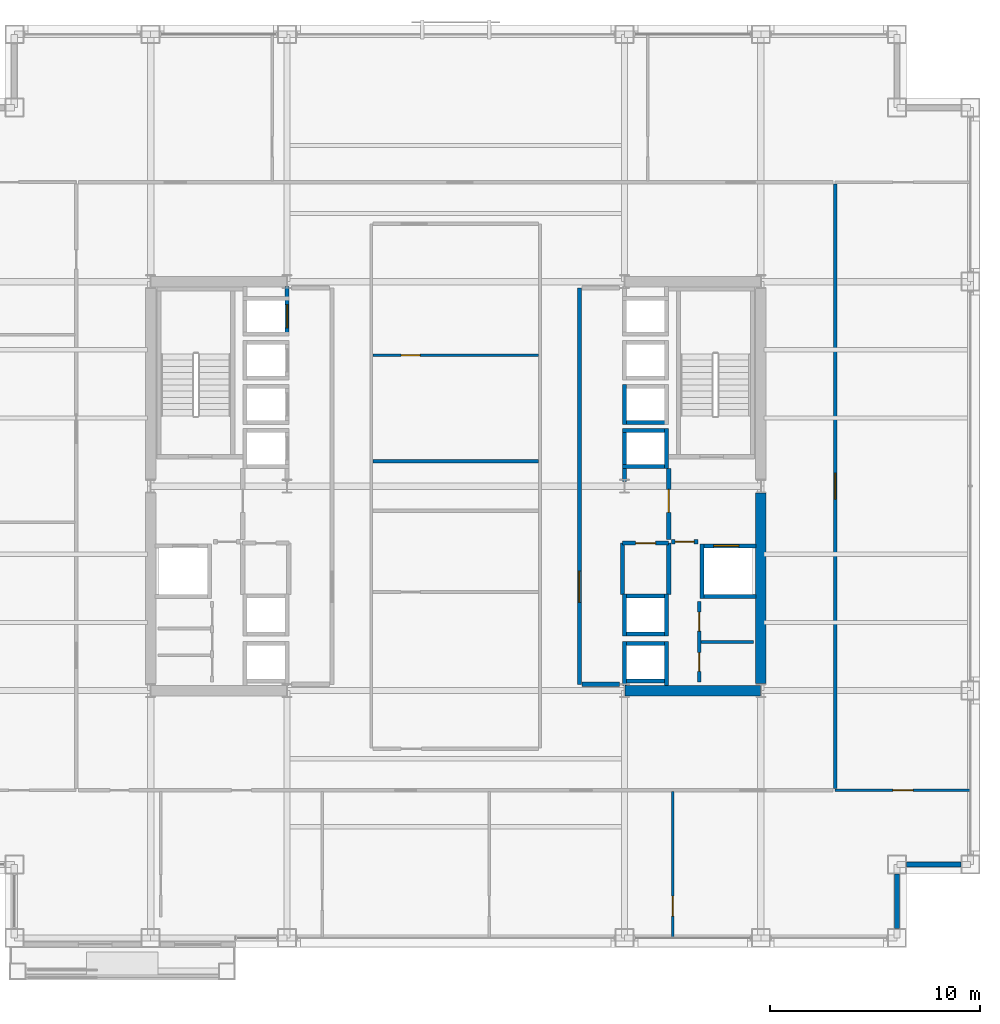
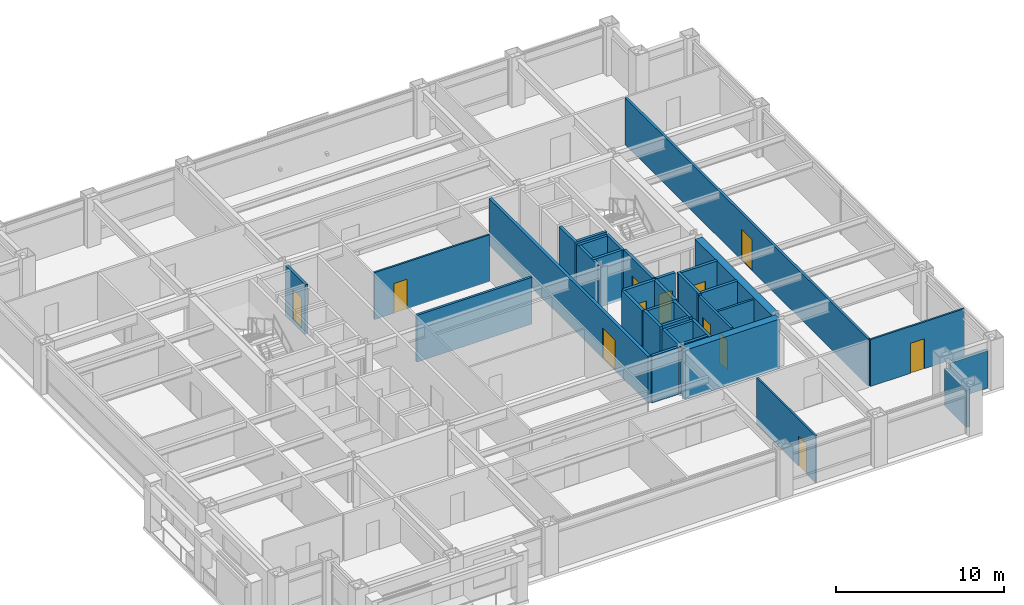
# One storey, part 26 of 30: 36 walls, 12 doors, 12 openings.
"""IFC4 building model written with IfcOpenShell, lengths in metres."""

from ifc_helpers import new_model, si_unit, direction, frame, frame_2d, origin, place, context, subcontext, project, spatial, rectangle, extrude, material, layer, layer_set, type_object, element, fill, save


model = new_model("IFC4")

# Units and contexts
model_context = context("Model", 3, precision=1e-05, world=origin(), true_north=direction((0.0, 1.0)))
body_context = subcontext(model_context, "Body", "Model", "MODEL_VIEW")
ifc_project = project(units=[si_unit("LENGTHUNIT", "METRE"), si_unit("AREAUNIT", "SQUARE_METRE"), si_unit("VOLUMEUNIT", "CUBIC_METRE"), si_unit("PLANEANGLEUNIT", "RADIAN"), si_unit("MASSUNIT", "GRAM", prefix="KILO")], contexts=[model_context])

# Site, building, storey
site_placement = place(None, origin())
site = spatial("IfcSite", under=ifc_project, at=site_placement, CompositionType="ELEMENT")
building_placement = place(site_placement, origin())
building = spatial("IfcBuilding", under=site, at=building_placement, Name="Brelmoor Portico Tower", CompositionType="ELEMENT")
storey_placement = place(building_placement, frame((0.0, 0.0, 74.39990234375)))
storey = spatial("IfcBuildingStorey", under=building, at=storey_placement, Name="L19", CompositionType="ELEMENT", Elevation=74.39990234375)

# Walls
ifc_material_1 = material(Name="Concrete C60", Category="concrete")
ifc_layer_1 = layer(ifc_material_1, 0.5)
ifc_layer_set_1 = layer_set([ifc_layer_1], Name="Concrete C60")
wall_type_1 = type_object("IfcWallType", Name="WL-CORE-500", PredefinedType="SHEAR", material=ifc_layer_set_1)
wall_1_placement = place(storey_placement, frame((8.070068359375, -9.75, -0.199951171875), z_axis=(0.0, 0.0, 1.0), x_axis=(1.0, 0.0, 0.0)))
element("IfcWall", 1, at=wall_1_placement, inside=storey, type_object=wall_type_1, Name="L19 EC South Shear Wall", PredefinedType="SHEAR", context=body_context, shape_type="SweptSolid", body=[
    extrude(rectangle(XDim=6.4599609375, YDim=0.5, at=frame_2d((3.22998046875, 0.0))), origin(), (0.0, 0.0, 1.0), 3.60009765625),
])
wall_2_placement = place(storey_placement, frame((14.550048828125, -9.425048828125, -0.199951171875), z_axis=(0.0, 0.0, 1.0), x_axis=(0.0, 1.0, 0.0)))
element("IfcWall", 2, at=wall_2_placement, inside=storey, type_object=wall_type_1, Name="L19 EC Outer South Shear Wall", PredefinedType="SHEAR", context=body_context, shape_type="SweptSolid", body=[
    extrude(rectangle(XDim=9.10009765625, YDim=0.5, at=frame_2d((4.550048828125, 0.0))), origin(), (0.0, 0.0, 1.0), 3.60009765625),
])
ifc_material_2 = material(Name="Precast Concrete C40 Insulated Facade Wall", Category="concrete")
ifc_layer_2 = layer(ifc_material_2, 0.25)
ifc_layer_set_2 = layer_set([ifc_layer_2], Name="Precast Concrete C40 Insulated Facade Wall")
wall_type_2 = type_object("IfcWallType", Name="WL-EXT-250", PredefinedType="STANDARD", material=ifc_layer_set_2)
for number, where, z_axis, x_axis, name in (
    (3, (21.510009765625, -18.050048828125, 0.0), (0.0, 0.0, 1.0), (1.0, 0.0, 0.0), "L19 Corner Notch Facade Wall NSEH1"),
    (4, (21.050048828125, -21.090087890625, 0.0), (0.0, 0.0, 1.0), (0.0, 1.0, 0.0), "L19 Corner Notch Facade Wall NSEV1"),
):
    element("IfcWall", number, at=place(storey_placement, frame(where, z_axis=z_axis, x_axis=x_axis)), inside=storey, type_object=wall_type_2, Name=name, PredefinedType="STANDARD", context=body_context, shape_type="SweptSolid", body=[
        extrude(rectangle(XDim=2.580078125, YDim=0.25, at=frame_2d((1.2900390625, 0.0))), origin(), (0.0, 0.0, 1.0), 2.7001953125),
    ])

# Wall, opening, door
ifc_material_3 = material(Name="Lightweight Gypsum Office Partition", Category="gypsum")
ifc_layer_3 = layer(ifc_material_3, 0.1201171875)
ifc_layer_set_3 = layer_set([ifc_layer_3], Name="Lightweight Gypsum Office Partition")
wall_type_3 = type_object("IfcWallType", Name="WL-PART-120", PredefinedType="PARTITIONING", material=ifc_layer_set_3)
wall_3_placement = place(storey_placement, frame((-3.949951171875, 6.239990234375, 0.0), z_axis=(0.0, 0.0, 1.0), x_axis=(1.0, 0.0, 0.0)))
wall_3 = element("IfcWall", 5, at=wall_3_placement, inside=storey, type_object=wall_type_3, Name="L19 Central Archive Divider", PredefinedType="PARTITIONING", context=body_context, shape_type="SweptSolid", body=[
    extrude(rectangle(XDim=7.89990234375, YDim=0.1201171875, at=frame_2d((3.949951171875, 0.0))), origin(), (0.0, 0.0, 1.0), 3.400146484375),
])
opening_1_placement = place(wall_3_placement, frame((1.35009765625, 0.0, 0.0)))
opening_1 = element("IfcOpeningElement", 6, at=opening_1_placement, cuts=wall_3, Name="Opening D-IN1", PredefinedType="OPENING", context=body_context, shape_type="SweptSolid", body=[
    extrude(rectangle(XDim=0.89990234375, YDim=2.14990234375, at=frame_2d((0.449951171875, 1.074951171875))), frame((0.0, 0.070068359375, 0.0), z_axis=(0.0, -1.0, 0.0), x_axis=(1.0, 0.0, 0.0)), (0.0, 0.0, 1.0), 0.14013671875),
])
ifc_material_4 = material(Name="Lacquered Timber Suite Door", Category="wood")
door_type_1 = type_object("IfcDoorType", Name="DR-INT-900", OperationType="NOTDEFINED", PredefinedType="DOOR", material=ifc_material_4)
door_1_placement = place(opening_1_placement, origin())
door_1 = element("IfcDoor", 7, at=door_1_placement, inside=storey, type_object=door_type_1, Name="D-0851 L19 Central File Room Door", OperationType="SINGLE_SWING_LEFT", OverallHeight=2.14990234375, OverallWidth=0.89990234375, PredefinedType="DOOR", context=body_context, shape_type="SweptSolid", body=[
    extrude(rectangle(XDim=0.89990234375, YDim=2.14990234375, at=frame_2d((0.449951171875, 1.074951171875))), frame((0.0, 0.02490234375, 0.0), z_axis=(0.0, -1.0, 0.0), x_axis=(1.0, 0.0, 0.0)), (0.0, 0.0, 1.0), 0.050048828125),
])
fill(opening_1, door_1)

wall_4_placement = place(storey_placement, frame((10.353271484375, -21.56005859375, 0.0), z_axis=(0.0, 0.0, 1.0), x_axis=(0.0, 1.0, 0.0)))
wall_4 = element("IfcWall", 8, at=wall_4_placement, inside=storey, type_object=wall_type_3, Name="L19 South Suite Partition 4", PredefinedType="PARTITIONING", context=body_context, shape_type="SweptSolid", body=[
    extrude(rectangle(XDim=7.0, YDim=0.1201171875, at=frame_2d((3.5, 0.0))), origin(), (0.0, 0.0, 1.0), 3.400146484375),
])
opening_2_placement = place(wall_4_placement, frame((1.050048828125, 0.0, 0.0)))
opening_2 = element("IfcOpeningElement", 9, at=opening_2_placement, cuts=wall_4, Name="Opening D-IN2", PredefinedType="OPENING", context=body_context, shape_type="SweptSolid", body=[
    extrude(rectangle(XDim=0.9599609375, YDim=2.179931640625, at=frame_2d((0.47998046875, 1.08984375))), frame((0.0, 0.070068359375, 0.0), z_axis=(0.0, -1.0, 0.0), x_axis=(1.0, 0.0, 0.0)), (0.0, 0.0, 1.0), 0.14013671875),
])
door_type_2 = type_object("IfcDoorType", Name="DR-INT-950", OperationType="NOTDEFINED", PredefinedType="DOOR", material=ifc_material_4)
door_2_placement = place(opening_2_placement, origin())
door_2 = element("IfcDoor", 10, at=door_2_placement, inside=storey, type_object=door_type_2, Name="D-0882 L19 South Suite Connecting Door 4", OperationType="SINGLE_SWING_RIGHT", OverallHeight=2.179931640625, OverallWidth=0.9599609375, PredefinedType="DOOR", context=body_context, shape_type="SweptSolid", body=[
    extrude(rectangle(XDim=0.9599609375, YDim=2.179931640625, at=frame_2d((0.47998046875, 1.08984375))), frame((0.0, 0.02490234375, 0.0), z_axis=(0.0, -1.0, 0.0), x_axis=(1.0, 0.0, 0.0)), (0.0, 0.0, 1.0), 0.050048828125),
])
fill(opening_2, door_2)

wall_5_placement = place(storey_placement, frame((18.10009765625, -14.5, 0.0), z_axis=(0.0, 0.0, 1.0), x_axis=(1.0, 0.0, 0.0)))
wall_5 = element("IfcWall", 11, at=wall_5_placement, inside=storey, type_object=wall_type_3, Name="L19 South Outer Closure ER", PredefinedType="PARTITIONING", context=body_context, shape_type="SweptSolid", body=[
    extrude(rectangle(XDim=6.4599609375, YDim=0.1201171875, at=frame_2d((3.22998046875, 0.0))), origin(), (0.0, 0.0, 1.0), 3.400146484375),
])
opening_3_placement = place(wall_5_placement, frame((2.75, 0.0, 0.0)))
opening_3 = element("IfcOpeningElement", 12, at=opening_3_placement, cuts=wall_5, Name="Opening D-IN2", PredefinedType="OPENING", context=body_context, shape_type="SweptSolid", body=[
    extrude(rectangle(XDim=0.9599609375, YDim=2.179931640625, at=frame_2d((0.47998046875, 1.08984375))), frame((0.0, 0.070068359375, 0.0), z_axis=(0.0, -1.0, 0.0), x_axis=(1.0, 0.0, 0.0)), (0.0, 0.0, 1.0), 0.14013671875),
])
door_3_placement = place(opening_3_placement, origin())
door_3 = element("IfcDoor", 13, at=door_3_placement, inside=storey, type_object=door_type_2, Name="D-0885 L19 ER South Corner Suite Door", OperationType="SINGLE_SWING_LEFT", OverallHeight=2.179931640625, OverallWidth=0.9599609375, PredefinedType="DOOR", context=body_context, shape_type="SweptSolid", body=[
    extrude(rectangle(XDim=0.9599609375, YDim=2.179931640625, at=frame_2d((0.47998046875, 1.08984375))), frame((0.0, 0.02490234375, 0.0), z_axis=(0.0, -1.0, 0.0), x_axis=(1.0, 0.0, 0.0)), (0.0, 0.0, 1.0), 0.050048828125),
])
fill(opening_3, door_3)

# Wall
ifc_material_5 = material(Name="Insulated Stud Suite Partition", Category="gypsum")
ifc_layer_4 = layer(ifc_material_5, 0.139892578125)
ifc_layer_set_4 = layer_set([ifc_layer_4], Name="Insulated Stud Suite Partition")
wall_type_4 = type_object("IfcWallType", Name="WL-PART-140", PredefinedType="PARTITIONING", material=ifc_layer_set_4)
wall_6_placement = place(storey_placement, frame((11.699951171875, -7.425048828125, 0.0), z_axis=(0.0, 0.0, 1.0), x_axis=(1.0, 0.0, 0.0)))
element("IfcWall", 14, at=wall_6_placement, inside=storey, type_object=wall_type_4, Name="L19 E Core WC Divider 1", PredefinedType="PARTITIONING", context=body_context, shape_type="SweptSolid", body=[
    extrude(rectangle(XDim=2.5, YDim=0.139892578125, at=frame_2d((1.25, 0.0))), origin(), (0.0, 0.0, 1.0), 3.400146484375),
])

# Wall, openings, doors
ifc_material_6 = material(Name="Twin-Frame Acoustic Partition", Category="gypsum")
ifc_layer_5 = layer(ifc_material_6, 0.159912109375)
ifc_layer_set_5 = layer_set([ifc_layer_5], Name="Twin-Frame Acoustic Partition")
wall_type_5 = type_object("IfcWallType", Name="WL-PART-160", PredefinedType="PARTITIONING", material=ifc_layer_set_5)
wall_7_placement = place(storey_placement, frame((11.6201171875, -9.35009765625, 0.0), z_axis=(0.0, 0.0, 1.0), x_axis=(0.0, 1.0, 0.0)))
wall_7 = element("IfcWall", 15, at=wall_7_placement, inside=storey, type_object=wall_type_5, Name="L19 E Core Service Front Wall", PredefinedType="PARTITIONING", context=body_context, shape_type="SweptSolid", body=[
    extrude(rectangle(XDim=3.85009765625, YDim=0.159912109375, at=frame_2d((1.925048828125, 0.0))), origin(), (0.0, 0.0, 1.0), 3.400146484375),
])
opening_4_placement = place(wall_7_placement, frame((0.512451171875, 0.0, 0.0)))
opening_4 = element("IfcOpeningElement", 16, at=opening_4_placement, cuts=wall_7, Name="Opening D-IN1", PredefinedType="OPENING", context=body_context, shape_type="SweptSolid", body=[
    extrude(rectangle(XDim=0.89990234375, YDim=2.14990234375, at=frame_2d((0.449951171875, 1.074951171875))), frame((0.0, 0.08984375, 0.0), z_axis=(0.0, -1.0, 0.0), x_axis=(1.0, 0.0, 0.0)), (0.0, 0.0, 1.0), 0.179931640625),
])
opening_5_placement = place(wall_7_placement, frame((2.4375, 0.0, 0.0)))
opening_5 = element("IfcOpeningElement", 17, at=opening_5_placement, cuts=wall_7, Name="Opening D-IN1", PredefinedType="OPENING", context=body_context, shape_type="SweptSolid", body=[
    extrude(rectangle(XDim=0.89990234375, YDim=2.14990234375, at=frame_2d((0.449951171875, 1.074951171875))), frame((0.0, 0.08984375, 0.0), z_axis=(0.0, -1.0, 0.0), x_axis=(1.0, 0.0, 0.0)), (0.0, 0.0, 1.0), 0.179931640625),
])
door_4_placement = place(opening_4_placement, origin())
door_4 = element("IfcDoor", 18, at=door_4_placement, inside=storey, type_object=door_type_1, Name="D-0854 L19 E Male WC Door", OperationType="SINGLE_SWING_LEFT", OverallHeight=2.14990234375, OverallWidth=0.89990234375, PredefinedType="DOOR", context=body_context, shape_type="SweptSolid", body=[
    extrude(rectangle(XDim=0.89990234375, YDim=2.14990234375, at=frame_2d((0.449951171875, 1.074951171875))), frame((0.0, 0.02490234375, 0.0), z_axis=(0.0, -1.0, 0.0), x_axis=(1.0, 0.0, 0.0)), (0.0, 0.0, 1.0), 0.050048828125),
])
fill(opening_4, door_4)
door_5_placement = place(opening_5_placement, origin())
door_5 = element("IfcDoor", 19, at=door_5_placement, inside=storey, type_object=door_type_1, Name="D-0855 L19 E Female WC Door", OperationType="SINGLE_SWING_RIGHT", OverallHeight=2.14990234375, OverallWidth=0.89990234375, PredefinedType="DOOR", context=body_context, shape_type="SweptSolid", body=[
    extrude(rectangle(XDim=0.89990234375, YDim=2.14990234375, at=frame_2d((0.449951171875, 1.074951171875))), frame((0.0, 0.02490234375, 0.0), z_axis=(0.0, -1.0, 0.0), x_axis=(1.0, 0.0, 0.0)), (0.0, 0.0, 1.0), 0.050048828125),
])
fill(opening_5, door_5)

# Wall
wall_8_placement = place(storey_placement, frame((-3.949951171875, 1.179931640625, 0.0), z_axis=(0.0, 0.0, 1.0), x_axis=(1.0, 0.0, 0.0)))
element("IfcWall", 20, at=wall_8_placement, inside=storey, type_object=wall_type_5, Name="L19 Central Meeting South Wall", PredefinedType="PARTITIONING", context=body_context, shape_type="SweptSolid", body=[
    extrude(rectangle(XDim=7.89990234375, YDim=0.159912109375, at=frame_2d((3.949951171875, 0.0))), origin(), (0.0, 0.0, 1.0), 3.400146484375),
])

# Wall, opening, door
wall_9_placement = place(storey_placement, frame((18.10009765625, -14.419921875, 0.0), z_axis=(0.0, 0.0, 1.0), x_axis=(0.0, 1.0, 0.0)))
wall_9 = element("IfcWall", 21, at=wall_9_placement, inside=storey, type_object=wall_type_5, Name="L19 E Wing Corridor Wall", PredefinedType="PARTITIONING", context=body_context, shape_type="SweptSolid", body=[
    extrude(rectangle(XDim=28.83984375, YDim=0.159912109375, at=frame_2d((14.419921875, 0.0))), origin(), (0.0, 0.0, 1.0), 3.400146484375),
])
opening_6_placement = place(wall_9_placement, frame((13.800048828125, 0.0, 0.0)))
opening_6 = element("IfcOpeningElement", 22, at=opening_6_placement, cuts=wall_9, Name="Opening D-SU1", PredefinedType="OPENING", context=body_context, shape_type="SweptSolid", body=[
    extrude(rectangle(XDim=1.239990234375, YDim=2.239990234375, at=frame_2d((0.6201171875, 1.1201171875))), frame((0.0, 0.08984375, 0.0), z_axis=(0.0, -1.0, 0.0), x_axis=(1.0, 0.0, 0.0)), (0.0, 0.0, 1.0), 0.179931640625),
])
ifc_material_7 = material(Name="Glazed Timber Executive Suite Door", Category="wood")
door_type_3 = type_object("IfcDoorType", Name="DR-SUITE-1200", OperationType="NOTDEFINED", PredefinedType="DOOR", material=ifc_material_7)
door_6_placement = place(opening_6_placement, origin())
door_6 = element("IfcDoor", 23, at=door_6_placement, inside=storey, type_object=door_type_3, Name="D-0889 L19 E Partner Cellular Office 1 Door", OperationType="SINGLE_SWING_RIGHT", OverallHeight=2.239990234375, OverallWidth=1.239990234375, PredefinedType="DOOR", context=body_context, shape_type="SweptSolid", body=[
    extrude(rectangle(XDim=1.239990234375, YDim=2.239990234375, at=frame_2d((0.6201171875, 1.1201171875))), frame((0.0, 0.02490234375, 0.0), z_axis=(0.0, -1.0, 0.0), x_axis=(1.0, 0.0, 0.0)), (0.0, 0.0, 1.0), 0.050048828125),
])
fill(opening_6, door_6)

ifc_material_8 = material(Name="Double-Stud Gypsum Fire Partition", Category="gypsum")
ifc_layer_6 = layer(ifc_material_8, 0.199951171875)
ifc_layer_set_6 = layer_set([ifc_layer_6], Name="Double-Stud Gypsum Fire Partition")
wall_type_6 = type_object("IfcWallType", Name="WL-PART-200", PredefinedType="PARTITIONING", material=ifc_layer_set_6)
wall_10_placement = place(storey_placement, frame((5.89990234375, -9.449951171875, 0.0), z_axis=(0.0, 0.0, 1.0), x_axis=(0.0, 1.0, 0.0)))
wall_10 = element("IfcWall", 24, at=wall_10_placement, inside=storey, type_object=wall_type_6, Name="L19 E Core Lobby Compartment Wall", PredefinedType="PARTITIONING", context=body_context, shape_type="SweptSolid", body=[
    extrude(rectangle(XDim=18.89990234375, YDim=0.199951171875, at=frame_2d((9.449951171875, 0.0))), origin(), (0.0, 0.0, 1.0), 3.400146484375),
])
opening_7_placement = place(wall_10_placement, frame((3.89990234375, 0.0, 0.0)))
opening_7 = element("IfcOpeningElement", 25, at=opening_7_placement, cuts=wall_10, Name="Opening D-LB1", PredefinedType="OPENING", context=body_context, shape_type="SweptSolid", body=[
    extrude(rectangle(XDim=1.5, YDim=2.199951171875, at=frame_2d((0.75, 1.10009765625))), frame((0.0, 0.10986328125, 0.0), z_axis=(0.0, -1.0, 0.0), x_axis=(1.0, 0.0, 0.0)), (0.0, 0.0, 1.0), 0.219970703125),
])
ifc_material_9 = material(Name="Double-Leaf Glazed Steel Fire Door", Category="steel")
door_type_4 = type_object("IfcDoorType", Name="DR-LOBBY-1500", OperationType="NOTDEFINED", PredefinedType="DOOR", material=ifc_material_9)
door_7_placement = place(opening_7_placement, origin())
door_7 = element("IfcDoor", 26, at=door_7_placement, inside=storey, type_object=door_type_4, Name="D-0865 L19 E Lift Lobby Main Door", OperationType="DOUBLE_DOOR_SINGLE_SWING", OverallHeight=2.199951171875, OverallWidth=1.5, PredefinedType="DOOR", context=body_context, shape_type="SweptSolid", body=[
    extrude(rectangle(XDim=1.5, YDim=2.199951171875, at=frame_2d((0.75, 1.10009765625))), frame((0.0, 0.02490234375, 0.0), z_axis=(0.0, -1.0, 0.0), x_axis=(1.0, 0.0, 0.0)), (0.0, 0.0, 1.0), 0.050048828125),
])
fill(opening_7, door_7)

# Wall
wall_11_placement = place(storey_placement, frame((6.02001953125, -9.449951171875, 0.0), z_axis=(0.0, 0.0, 1.0), x_axis=(1.0, 0.0, 0.0)))
element("IfcWall", 27, at=wall_11_placement, inside=storey, type_object=wall_type_6, Name="L19 E Lift Lobby South End Wall", PredefinedType="PARTITIONING", context=body_context, shape_type="SweptSolid", body=[
    extrude(rectangle(XDim=1.800048828125, YDim=0.199951171875, at=frame_2d((0.89990234375, 0.0))), origin(), (0.0, 0.0, 1.0), 3.400146484375),
])

# Wall, opening, door
wall_12_placement = place(storey_placement, frame((10.159912109375, -2.550048828125, 0.0), z_axis=(0.0, 0.0, 1.0), x_axis=(0.0, 1.0, 0.0)))
wall_12 = element("IfcWall", 28, at=wall_12_placement, inside=storey, type_object=wall_type_6, Name="L19 E Firefighting Lobby Wall", PredefinedType="PARTITIONING", context=body_context, shape_type="SweptSolid", body=[
    extrude(rectangle(XDim=3.400146484375, YDim=0.199951171875, at=frame_2d((1.7001953125, 0.0))), origin(), (0.0, 0.0, 1.0), 3.400146484375),
])
opening_8_placement = place(wall_12_placement, frame((1.300048828125, 0.0, 0.0)))
opening_8 = element("IfcOpeningElement", 29, at=opening_8_placement, cuts=wall_12, Name="Opening D-FR1", PredefinedType="OPENING", context=body_context, shape_type="SweptSolid", body=[
    extrude(rectangle(XDim=1.10009765625, YDim=2.14990234375, at=frame_2d((0.550048828125, 1.074951171875))), frame((0.0, 0.10986328125, 0.0), z_axis=(0.0, -1.0, 0.0), x_axis=(1.0, 0.0, 0.0)), (0.0, 0.0, 1.0), 0.219970703125),
])
ifc_material_10 = material(Name="Painted Galvanised Steel Fire Door", Category="steel")
door_type_5 = type_object("IfcDoorType", Name="DR-FIRE-1100", OperationType="NOTDEFINED", PredefinedType="DOOR", material=ifc_material_10)
door_8_placement = place(opening_8_placement, origin())
door_8 = element("IfcDoor", 30, at=door_8_placement, inside=storey, type_object=door_type_5, Name="D-0863 L19 E Firefighting Lobby Door", OperationType="SINGLE_SWING_RIGHT", OverallHeight=2.14990234375, OverallWidth=1.10009765625, PredefinedType="DOOR", context=body_context, shape_type="SweptSolid", body=[
    extrude(rectangle(XDim=1.10009765625, YDim=2.14990234375, at=frame_2d((0.550048828125, 1.074951171875))), frame((0.0, 0.02490234375, 0.0), z_axis=(0.0, -1.0, 0.0), x_axis=(1.0, 0.0, 0.0)), (0.0, 0.0, 1.0), 0.050048828125),
])
fill(opening_8, door_8)

wall_13_placement = place(storey_placement, frame((10.280029296875, -2.64990234375, 0.0), z_axis=(0.0, 0.0, 1.0), x_axis=(1.0, 0.0, 0.0)))
wall_13 = element("IfcWall", 31, at=wall_13_placement, inside=storey, type_object=wall_type_6, Name="L19 E Firefighting Lobby South Wall", PredefinedType="PARTITIONING", context=body_context, shape_type="SweptSolid", body=[
    extrude(rectangle(XDim=1.27001953125, YDim=0.199951171875, at=frame_2d((0.635009765625, 0.0))), origin(), (0.0, 0.0, 1.0), 3.400146484375),
])
opening_9_placement = place(wall_13_placement, frame((0.18505859375, 0.0, 0.0)))
opening_9 = element("IfcOpeningElement", 32, at=opening_9_placement, cuts=wall_13, Name="Opening D-IN1", PredefinedType="OPENING", context=body_context, shape_type="SweptSolid", body=[
    extrude(rectangle(XDim=0.89990234375, YDim=2.14990234375, at=frame_2d((0.449951171875, 1.074951171875))), frame((0.0, 0.10986328125, 0.0), z_axis=(0.0, -1.0, 0.0), x_axis=(1.0, 0.0, 0.0)), (0.0, 0.0, 1.0), 0.219970703125),
])
door_9_placement = place(opening_9_placement, origin())
door_9 = element("IfcDoor", 33, at=door_9_placement, inside=storey, type_object=door_type_1, Name="D-0856 L19 E Core Service Vestibule Door", OperationType="SINGLE_SWING_LEFT", OverallHeight=2.14990234375, OverallWidth=0.89990234375, PredefinedType="DOOR", context=body_context, shape_type="SweptSolid", body=[
    extrude(rectangle(XDim=0.89990234375, YDim=2.14990234375, at=frame_2d((0.449951171875, 1.074951171875))), frame((0.0, 0.02490234375, 0.0), z_axis=(0.0, -1.0, 0.0), x_axis=(1.0, 0.0, 0.0)), (0.0, 0.0, 1.0), 0.050048828125),
])
fill(opening_9, door_9)

wall_14_placement = place(storey_placement, frame((7.9599609375, -2.719970703125, 0.0), z_axis=(0.0, 0.0, 1.0), x_axis=(1.0, 0.0, 0.0)))
wall_14 = element("IfcWall", 34, at=wall_14_placement, inside=storey, type_object=wall_type_6, Name="L19 E Electrical Switchgear Closet Wall", PredefinedType="PARTITIONING", context=body_context, shape_type="SweptSolid", body=[
    extrude(rectangle(XDim=2.199951171875, YDim=0.199951171875, at=frame_2d((1.10009765625, 0.0))), origin(), (0.0, 0.0, 1.0), 3.400146484375),
])
opening_10_placement = place(wall_14_placement, frame((0.6201171875, 0.0, 0.0)))
opening_10 = element("IfcOpeningElement", 35, at=opening_10_placement, cuts=wall_14, Name="Opening D-FR4", PredefinedType="OPENING", context=body_context, shape_type="SweptSolid", body=[
    extrude(rectangle(XDim=0.949951171875, YDim=2.10009765625, at=frame_2d((0.47509765625, 1.050048828125))), frame((0.0, 0.10986328125, 0.0), z_axis=(0.0, -1.0, 0.0), x_axis=(1.0, 0.0, 0.0)), (0.0, 0.0, 1.0), 0.219970703125),
])
ifc_material_11 = material(Name="Painted Galvanised Steel Riser Door", Category="steel")
door_type_6 = type_object("IfcDoorType", Name="DR-FIRE-950", OperationType="NOTDEFINED", PredefinedType="DOOR", material=ifc_material_11)
door_10_placement = place(opening_10_placement, origin())
door_10 = element("IfcDoor", 36, at=door_10_placement, inside=storey, type_object=door_type_6, Name="D-0861 L19 E Electrical Switchgear Closet Door", OperationType="SINGLE_SWING_RIGHT", OverallHeight=2.10009765625, OverallWidth=0.949951171875, PredefinedType="DOOR", context=body_context, shape_type="SweptSolid", body=[
    extrude(rectangle(XDim=0.949951171875, YDim=2.10009765625, at=frame_2d((0.47509765625, 1.050048828125))), frame((0.0, 0.02490234375, 0.0), z_axis=(0.0, -1.0, 0.0), x_axis=(1.0, 0.0, 0.0)), (0.0, 0.0, 1.0), 0.050048828125),
])
fill(opening_10, door_10)

# Walls
for number, where, z_axis, x_axis, name in (
    (37, (7.9599609375, -5.159912109375, 0.0), (0.0, 0.0, 1.0), (0.0, 1.0, 0.0), "L19 E Electrical Switchgear Closet Inner Wall"),
    (38, (10.159912109375, -5.159912109375, 0.0), (0.0, 0.0, 1.0), (0.0, 1.0, 0.0), "L19 E Electrical Switchgear Closet Outer Wall"),
):
    element("IfcWall", number, at=place(storey_placement, frame(where, z_axis=z_axis, x_axis=x_axis)), inside=storey, type_object=wall_type_6, Name=name, PredefinedType="PARTITIONING", context=body_context, shape_type="SweptSolid", body=[
        extrude(rectangle(XDim=2.43994140625, YDim=0.199951171875, at=frame_2d((1.219970703125, 0.0))), origin(), (0.0, 0.0, 1.0), 3.400146484375),
    ])

# Wall, opening, door
ifc_material_12 = material(Name="Precast Concrete C40", Category="concrete")
ifc_layer_7 = layer(ifc_material_12, 0.18994140625)
ifc_layer_set_7 = layer_set([ifc_layer_7], Name="Precast Concrete C40")
wall_type_7 = type_object("IfcWallType", Name="WL-SHAFT-180", PredefinedType="SOLIDWALL", material=ifc_layer_set_7)
wall_15_placement = place(storey_placement, frame((-8.044921875, 7.14990234375, -0.199951171875), z_axis=(0.0, 0.0, 1.0), x_axis=(0.0, 1.0, 0.0)))
wall_15 = element("IfcWall", 39, at=wall_15_placement, inside=storey, type_object=wall_type_7, Name="L19 Lift PL4 Hoistway Front Wall", PredefinedType="SOLIDWALL", context=body_context, shape_type="SweptSolid", body=[
    extrude(rectangle(XDim=2.3701171875, YDim=0.18994140625, at=frame_2d((1.18505859375, 0.0))), origin(), (0.0, 0.0, 1.0), 3.60009765625),
])
opening_11_placement = place(wall_15_placement, frame((0.39990234375, 0.0, 0.199951171875)))
opening_11 = element("IfcOpeningElement", 40, at=opening_11_placement, cuts=wall_15, Name="Opening LD-01", PredefinedType="OPENING", context=body_context, shape_type="SweptSolid", body=[
    extrude(rectangle(XDim=1.10009765625, YDim=2.199951171875, at=frame_2d((0.550048828125, 1.10009765625))), frame((0.0, 0.10498046875, 0.0), z_axis=(0.0, -1.0, 0.0), x_axis=(1.0, 0.0, 0.0)), (0.0, 0.0, 1.0), 0.2099609375),
])
ifc_material_13 = material(Name="Brushed Stainless Steel Sliding Lift Door", Category="steel")
door_type_7 = type_object("IfcDoorType", Name="DR-LIFT-1100", OperationType="NOTDEFINED", PredefinedType="DOOR", material=ifc_material_13)
door_11_placement = place(opening_11_placement, origin())
door_11 = element("IfcDoor", 41, at=door_11_placement, inside=storey, type_object=door_type_7, Name="D-0900 L19 Lift PL4 Sliding Landing Door", OperationType="SLIDING_TO_LEFT", OverallHeight=2.199951171875, OverallWidth=1.10009765625, PredefinedType="DOOR", context=body_context, shape_type="SweptSolid", body=[
    extrude(rectangle(XDim=1.10009765625, YDim=2.199951171875, at=frame_2d((0.550048828125, 1.10009765625))), frame((0.0, 0.02490234375, 0.0), z_axis=(0.0, -1.0, 0.0), x_axis=(1.0, 0.0, 0.0)), (0.0, 0.0, 1.0), 0.050048828125),
])
fill(opening_11, door_11)

# Walls
wall_16_placement = place(storey_placement, frame((8.044921875, 0.2099609375, -0.199951171875), z_axis=(0.0, 0.0, 1.0), x_axis=(0.0, 1.0, 0.0)))
element("IfcWall", 42, at=wall_16_placement, inside=storey, type_object=wall_type_7, Name="L19 Lift PM1 Hoistway Front Wall", PredefinedType="SOLIDWALL", context=body_context, shape_type="SweptSolid", body=[
    extrude(rectangle(XDim=2.5400390625, YDim=0.18994140625, at=frame_2d((1.27001953125, 0.0))), origin(), (0.0, 0.0, 1.0), 3.60009765625),
])
wall_17_placement = place(storey_placement, frame((10.054931640625, 0.85009765625, -0.199951171875), z_axis=(0.0, 0.0, 1.0), x_axis=(0.0, 1.0, 0.0)))
element("IfcWall", 43, at=wall_17_placement, inside=storey, type_object=wall_type_7, Name="L19 Lift PM1 Hoistway Back Wall", PredefinedType="SOLIDWALL", context=body_context, shape_type="SweptSolid", body=[
    extrude(rectangle(XDim=1.89990234375, YDim=0.18994140625, at=frame_2d((0.949951171875, 0.0))), origin(), (0.0, 0.0, 1.0), 3.60009765625),
])
for number, where, z_axis, x_axis, name in (
    (44, (7.949951171875, 2.655029296875, -0.199951171875), (0.0, 0.0, 1.0), (1.0, 0.0, 0.0), "L19 Lift PM1 Hoistway North Wall"),
    (45, (7.949951171875, 0.945068359375, -0.199951171875), (0.0, 0.0, 1.0), (1.0, 0.0, 0.0), "L19 Lift PM1 Hoistway South Wall"),
):
    element("IfcWall", number, at=place(storey_placement, frame(where, z_axis=z_axis, x_axis=x_axis)), inside=storey, type_object=wall_type_7, Name=name, PredefinedType="SOLIDWALL", context=body_context, shape_type="SweptSolid", body=[
        extrude(rectangle(XDim=2.199951171875, YDim=0.18994140625, at=frame_2d((1.10009765625, 0.0))), origin(), (0.0, 0.0, 1.0), 3.60009765625),
    ])
wall_18_placement = place(storey_placement, frame((8.044921875, 2.949951171875, -0.199951171875), z_axis=(0.0, 0.0, 1.0), x_axis=(0.0, 1.0, 0.0)))
element("IfcWall", 46, at=wall_18_placement, inside=storey, type_object=wall_type_7, Name="L19 Lift PM2 Hoistway Front Wall", PredefinedType="SOLIDWALL", context=body_context, shape_type="SweptSolid", body=[
    extrude(rectangle(XDim=1.900146484375, YDim=0.18994140625, at=frame_2d((0.9501953125, 0.0))), origin(), (0.0, 0.0, 1.0), 3.60009765625),
])
wall_19_placement = place(storey_placement, frame((7.949951171875, 3.044921875, -0.199951171875), z_axis=(0.0, 0.0, 1.0), x_axis=(1.0, 0.0, 0.0)))
element("IfcWall", 47, at=wall_19_placement, inside=storey, type_object=wall_type_7, Name="L19 Lift PM2 Hoistway South Wall", PredefinedType="SOLIDWALL", context=body_context, shape_type="SweptSolid", body=[
    extrude(rectangle(XDim=2.199951171875, YDim=0.18994140625, at=frame_2d((1.10009765625, 0.0))), origin(), (0.0, 0.0, 1.0), 3.60009765625),
])
for number, where, z_axis, x_axis, name in (
    (48, (8.044921875, -9.52001953125, -0.199951171875), (0.0, 0.0, 1.0), (0.0, 1.0, 0.0), "L19 Lift PH3 Hoistway Front Wall"),
    (49, (10.054931640625, -9.52001953125, -0.199951171875), (0.0, 0.0, 1.0), (0.0, 1.0, 0.0), "L19 Lift PH3 Hoistway Back Wall"),
):
    element("IfcWall", number, at=place(storey_placement, frame(where, z_axis=z_axis, x_axis=x_axis)), inside=storey, type_object=wall_type_7, Name=name, PredefinedType="SOLIDWALL", context=body_context, shape_type="SweptSolid", body=[
        extrude(rectangle(XDim=2.1201171875, YDim=0.18994140625, at=frame_2d((1.06005859375, 0.0))), origin(), (0.0, 0.0, 1.0), 3.60009765625),
    ])
for number, where, z_axis, x_axis, name in (
    (50, (7.949951171875, -7.4951171875, -0.199951171875), (0.0, 0.0, 1.0), (1.0, 0.0, 0.0), "L19 Lift PH3 Hoistway North Wall"),
    (51, (7.949951171875, -9.304931640625, -0.199951171875), (0.0, 0.0, 1.0), (1.0, 0.0, 0.0), "L19 Lift PH3 Hoistway South Wall"),
):
    element("IfcWall", number, at=place(storey_placement, frame(where, z_axis=z_axis, x_axis=x_axis)), inside=storey, type_object=wall_type_7, Name=name, PredefinedType="SOLIDWALL", context=body_context, shape_type="SweptSolid", body=[
        extrude(rectangle(XDim=2.199951171875, YDim=0.18994140625, at=frame_2d((1.10009765625, 0.0))), origin(), (0.0, 0.0, 1.0), 3.60009765625),
    ])
for number, where, z_axis, x_axis, name in (
    (52, (8.044921875, -7.14990234375, -0.199951171875), (0.0, 0.0, 1.0), (0.0, 1.0, 0.0), "L19 Lift PH4 Hoistway Front Wall"),
    (53, (10.054931640625, -7.14990234375, -0.199951171875), (0.0, 0.0, 1.0), (0.0, 1.0, 0.0), "L19 Lift PH4 Hoistway Back Wall"),
):
    element("IfcWall", number, at=place(storey_placement, frame(where, z_axis=z_axis, x_axis=x_axis)), inside=storey, type_object=wall_type_7, Name=name, PredefinedType="SOLIDWALL", context=body_context, shape_type="SweptSolid", body=[
        extrude(rectangle(XDim=2.0, YDim=0.18994140625, at=frame_2d((1.0, 0.0))), origin(), (0.0, 0.0, 1.0), 3.60009765625),
    ])
for number, where, z_axis, x_axis, name in (
    (54, (7.949951171875, -5.2451171875, -0.199951171875), (0.0, 0.0, 1.0), (1.0, 0.0, 0.0), "L19 Lift PH4 Hoistway North Wall"),
    (55, (7.949951171875, -7.054931640625, -0.199951171875), (0.0, 0.0, 1.0), (1.0, 0.0, 0.0), "L19 Lift PH4 Hoistway South Wall"),
):
    element("IfcWall", number, at=place(storey_placement, frame(where, z_axis=z_axis, x_axis=x_axis)), inside=storey, type_object=wall_type_7, Name=name, PredefinedType="SOLIDWALL", context=body_context, shape_type="SweptSolid", body=[
        extrude(rectangle(XDim=2.199951171875, YDim=0.18994140625, at=frame_2d((1.10009765625, 0.0))), origin(), (0.0, 0.0, 1.0), 3.60009765625),
    ])

# Wall, opening, door
wall_20_placement = place(storey_placement, frame((11.64990234375, -2.844970703125, -0.199951171875), z_axis=(0.0, 0.0, 1.0), x_axis=(1.0, 0.0, 0.0)))
wall_20 = element("IfcWall", 56, at=wall_20_placement, inside=storey, type_object=wall_type_7, Name="L19 Lift FF2 Hoistway Front Wall", PredefinedType="SOLIDWALL", context=body_context, shape_type="SweptSolid", body=[
    extrude(rectangle(XDim=2.68017578125, YDim=0.18994140625, at=frame_2d((1.340087890625, 0.0))), origin(), (0.0, 0.0, 1.0), 3.60009765625),
])
opening_12_placement = place(wall_20_placement, frame((0.64990234375, 0.0, 0.199951171875)))
opening_12 = element("IfcOpeningElement", 57, at=opening_12_placement, cuts=wall_20, Name="Opening LD-02", PredefinedType="OPENING", context=body_context, shape_type="SweptSolid", body=[
    extrude(rectangle(XDim=1.199951171875, YDim=2.199951171875, at=frame_2d((0.60009765625, 1.10009765625))), frame((0.0, 0.10498046875, 0.0), z_axis=(0.0, -1.0, 0.0), x_axis=(1.0, 0.0, 0.0)), (0.0, 0.0, 1.0), 0.2099609375),
])
ifc_material_14 = material(Name="Brushed Stainless Steel Firefighting Lift Door", Category="steel")
door_type_8 = type_object("IfcDoorType", Name="DR-LIFT-1200", OperationType="NOTDEFINED", PredefinedType="DOOR", material=ifc_material_14)
door_12_placement = place(opening_12_placement, origin())
door_12 = element("IfcDoor", 58, at=door_12_placement, inside=storey, type_object=door_type_8, Name="D-0896 L19 Lift FF2 Sliding Landing Door", OperationType="SLIDING_TO_LEFT", OverallHeight=2.199951171875, OverallWidth=1.199951171875, PredefinedType="DOOR", context=body_context, shape_type="SweptSolid", body=[
    extrude(rectangle(XDim=1.199951171875, YDim=2.199951171875, at=frame_2d((0.60009765625, 1.10009765625))), frame((0.0, 0.02490234375, 0.0), z_axis=(0.0, -1.0, 0.0), x_axis=(1.0, 0.0, 0.0)), (0.0, 0.0, 1.0), 0.050048828125),
])
fill(opening_12, door_12)

# Walls
wall_21_placement = place(storey_placement, frame((11.64990234375, -5.2548828125, -0.199951171875), z_axis=(0.0, 0.0, 1.0), x_axis=(1.0, 0.0, 0.0)))
element("IfcWall", 59, at=wall_21_placement, inside=storey, type_object=wall_type_7, Name="L19 Firefighting Lift FF2 South Wall", PredefinedType="SOLIDWALL", context=body_context, shape_type="SweptSolid", body=[
    extrude(rectangle(XDim=2.68017578125, YDim=0.18994140625, at=frame_2d((1.340087890625, 0.0))), origin(), (0.0, 0.0, 1.0), 3.60009765625),
])
wall_22_placement = place(storey_placement, frame((11.7451171875, -5.35009765625, -0.199951171875), z_axis=(0.0, 0.0, 1.0), x_axis=(0.0, 1.0, 0.0)))
element("IfcWall", 60, at=wall_22_placement, inside=storey, type_object=wall_type_7, Name="L19 Firefighting Lift FF2 Inner Wall", PredefinedType="SOLIDWALL", context=body_context, shape_type="SweptSolid", body=[
    extrude(rectangle(XDim=2.60009765625, YDim=0.18994140625, at=frame_2d((1.300048828125, 0.0))), origin(), (0.0, 0.0, 1.0), 3.60009765625),
])

save(model, "model.ifc")
